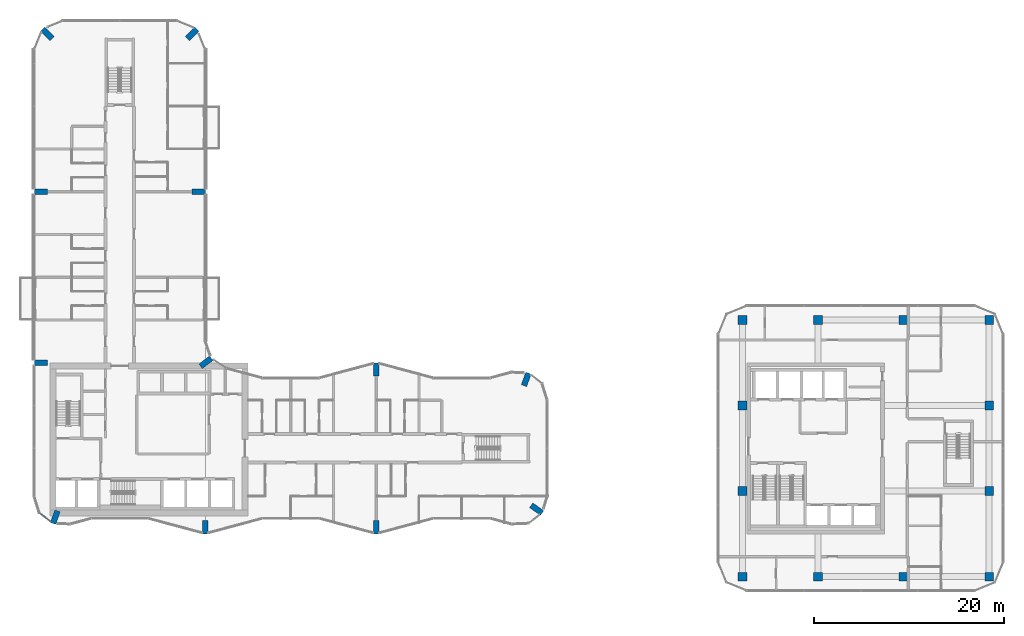
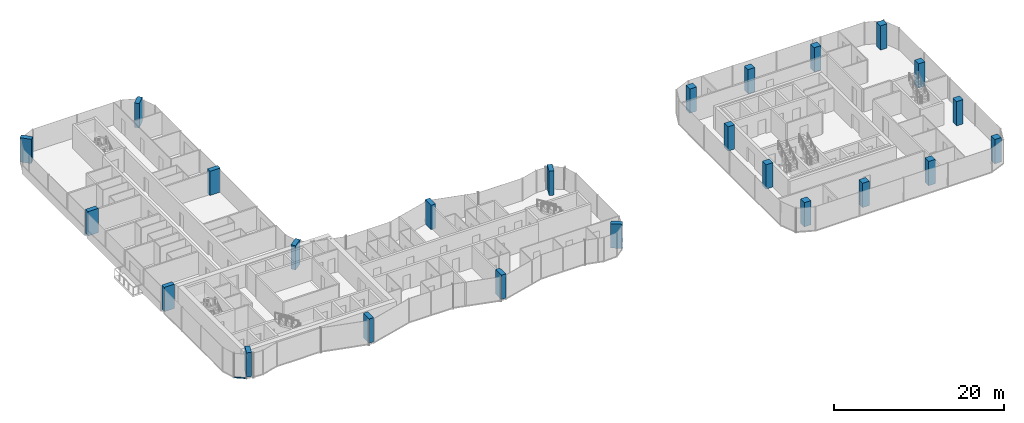
# One storey, part 1 of 22: 24 columns, 1 member, 1 element without a shape of its own.
"""IFC4 building model written with IfcOpenShell, lengths in metres."""

from ifc_helpers import new_model, si_unit, direction, frame, origin, origin_2d, place, context, subcontext, project, spatial, rectangle, extrude, material, layer, layer_set, material_profile, profile_set, type_object, element, aggregate, save


model = new_model("IFC4")

# Units and contexts
model_context = context("Model", 3, precision=1e-05, world=origin(), true_north=direction((0.0, 1.0)))
body_context = subcontext(model_context, "Body", "Model", "MODEL_VIEW")
ifc_project = project(units=[si_unit("LENGTHUNIT", "METRE"), si_unit("AREAUNIT", "SQUARE_METRE"), si_unit("VOLUMEUNIT", "CUBIC_METRE"), si_unit("PLANEANGLEUNIT", "RADIAN"), si_unit("MASSUNIT", "GRAM", prefix="KILO")], contexts=[model_context])

# Site, building, storey
site_placement = place(None, origin())
site = spatial("IfcSite", under=ifc_project, at=site_placement, CompositionType="ELEMENT")
building_placement = place(site_placement, origin())
building = spatial("IfcBuilding", under=site, at=building_placement, Name="Plateau Cross Towers", CompositionType="ELEMENT")
storey_placement = place(building_placement, frame((0.0, 0.0, 106.300048828125)))
storey = spatial("IfcBuildingStorey", under=building, at=storey_placement, Name="L27", CompositionType="ELEMENT", Elevation=106.300048828125)

# Columns
ifc_material_1 = material(Name="Concrete C60/75", Category="concrete")
ifc_material_profile_1 = material_profile(ifc_material_1, rectangle(XDim=0.60009765625, YDim=1.39990234375, at=origin_2d()), Name="RC 600x1400")
ifc_profile_set_1 = profile_set([ifc_material_profile_1], Name="Concrete C60/75")
column_type_1 = type_object("IfcColumnType", Name="Fin pier column RC 600x1400", PredefinedType="COLUMN", material=ifc_profile_set_1)
for number, where, z_axis, x_axis, name in (
    (1, (18.0, 0.699951171875, 0.0), (0.0, 0.0, 1.0), (1.0, 0.0, 0.0), "PR1 L27"),
    (2, (36.0, 0.699951171875, 0.0), (0.0, 0.0, 1.0), (1.0, 0.0, 0.0), "PR2 L27"),
    (3, (52.884033203125, 2.590087890625, 0.0), (0.0, 0.0, 1.0), (0.573542637991, 0.819175709117, 0.0), "PR3 L27"),
    (4, (51.786865234375, 16.251953125, 0.0), (0.0, 0.0, 1.0), (-0.939664280925, 0.342097996418, 0.0), "PR4 L27"),
    (5, (36.0, 17.300048828125, 0.0), (0.0, 0.0, 1.0), (1.0, 0.0, 0.0), "PR5 L27"),
    (6, (18.064697265625, 18.049560546875, 0.0), (0.0, 0.0, 1.0), (-0.608810846443, 0.793315418515, 0.0), "PR6 L27"),
    (7, (17.300048828125, 36.0, 0.0), (0.0, 0.0, 1.0), (0.0, 1.0, 0.0), "PR7 L27"),
    (8, (16.62646484375, 52.62646484375, 0.0), (0.0, 0.0, 1.0), (-0.707106781187, 0.707106781187, 0.0), "PR8 L27"),
    (9, (1.37353515625, 52.62646484375, 0.0), (0.0, 0.0, 1.0), (0.707106781187, 0.707106781187, 0.0), "PR9 L27"),
    (10, (0.699951171875, 36.0, 0.0), (0.0, 0.0, 1.0), (0.0, 1.0, 0.0), "PR10 L27"),
    (11, (0.699951171875, 18.0, 0.0), (0.0, 0.0, 1.0), (0.0, 1.0, 0.0), "PR11 L27"),
    (12, (2.213134765625, 1.748046875, 0.0), (0.0, 0.0, 1.0), (-0.939664280925, 0.342097996418, 0.0), "PR12 L27"),
):
    element("IfcColumn", number, at=place(storey_placement, frame(where, z_axis=z_axis, x_axis=x_axis)), inside=storey, type_object=column_type_1, Name=name, PredefinedType="COLUMN", context=body_context, shape_type="SweptSolid", body=[
        extrude(rectangle(XDim=0.60009765625, YDim=1.39990234375, at=origin_2d()), origin(), (0.0, 0.0, 1.0), 3.5),
    ])
ifc_material_profile_2 = material_profile(ifc_material_1, rectangle(XDim=0.89990234375, YDim=0.89990234375, at=origin_2d()), Name="RC 900x900")
ifc_profile_set_2 = profile_set([ifc_material_profile_2], Name="Concrete C60/75")
column_type_2 = type_object("IfcColumnType", Name="Office column RC 900x900", PredefinedType="COLUMN", material=ifc_profile_set_2)
for number, where, z_axis, x_axis, name in (
    (13, (74.550048828125, -4.5, 0.0), (0.0, 0.0, 1.0), (1.0, 0.0, 0.0), "B-C746_-45 L27"),
    (14, (82.5, -4.5, 0.0), (0.0, 0.0, 1.0), (1.0, 0.0, 0.0), "B-C825_-45 L27"),
    (15, (91.5, -4.5, 0.0), (0.0, 0.0, 1.0), (1.0, 0.0, 0.0), "B-C915_-45 L27"),
    (16, (100.5, -4.5, 0.0), (0.0, 0.0, 1.0), (1.0, 0.0, 0.0), "B-C1005_-45 L27"),
    (17, (100.5, 4.5, 0.0), (0.0, 0.0, 1.0), (1.0, 0.0, 0.0), "B-C1005_45 L27"),
    (18, (100.5, 13.5, 0.0), (0.0, 0.0, 1.0), (1.0, 0.0, 0.0), "B-C1005_135 L27"),
    (19, (100.5, 22.5, 0.0), (0.0, 0.0, 1.0), (1.0, 0.0, 0.0), "B-C1005_225 L27"),
    (20, (91.5, 22.5, 0.0), (0.0, 0.0, 1.0), (1.0, 0.0, 0.0), "B-C915_225 L27"),
    (21, (82.5, 22.5, 0.0), (0.0, 0.0, 1.0), (1.0, 0.0, 0.0), "B-C825_225 L27"),
    (22, (74.550048828125, 22.5, 0.0), (0.0, 0.0, 1.0), (1.0, 0.0, 0.0), "B-C746_225 L27"),
    (23, (74.550048828125, 13.5, 0.0), (0.0, 0.0, 1.0), (1.0, 0.0, 0.0), "B-C746_135 L27"),
    (24, (74.550048828125, 4.5, 0.0), (0.0, 0.0, 1.0), (1.0, 0.0, 0.0), "B-C746_45 L27"),
):
    element("IfcColumn", number, at=place(storey_placement, frame(where, z_axis=z_axis, x_axis=x_axis)), inside=storey, type_object=column_type_2, Name=name, PredefinedType="COLUMN", context=body_context, shape_type="SweptSolid", body=[
        extrude(rectangle(XDim=0.89990234375, YDim=0.89990234375, at=origin_2d()), origin(), (0.0, 0.0, 1.0), 3.5),
    ])

# Curtain wall, member
ifc_material_2 = material(Name="Dark low-iron glass", Category="glass")
ifc_layer = layer(ifc_material_2, 0.239990234375)
ifc_layer_set = layer_set([ifc_layer], Name="Dark low-iron glass")
curtain_wall_type = type_object("IfcCurtainWallType", Name="Curtain wall flush unitised CW-B", PredefinedType="NOTDEFINED", material=ifc_layer_set)
curtain_wall_placement = place(storey_placement, origin())
curtain_wall = element("IfcCurtainWall", 25, at=curtain_wall_placement, inside=storey, type_object=curtain_wall_type, Name="ENV/A/L27/A5_22", PredefinedType="NOTDEFINED")
ifc_material_3 = material(Name="Black anodised aluminium", Category="aluminium")
ifc_material_profile_3 = material_profile(ifc_material_3, rectangle(XDim=0.10009765625, YDim=0.1201171875, at=origin_2d()), Name="TRANSOM 100x120")
ifc_profile_set_3 = profile_set([ifc_material_profile_3], Name="Black anodised aluminium")
member_type = type_object("IfcMemberType", Name="Transom 100x120 flush unitised", PredefinedType="USERDEFINED", material=ifc_profile_set_3)
member_placement = place(storey_placement, frame((0.54248046875, 2.1884765625, -0.18994140625), z_axis=(0.793320508571, -0.608804213751, 0.0), x_axis=(0.608804213751, 0.793320508571, 0.0)))
member = element("IfcMember", 26, at=member_placement, type_object=member_type, Name="CW-B transom", ObjectType="TRANSOM", PredefinedType="USERDEFINED", context=body_context, shape_type="SweptSolid", body=[
    extrude(rectangle(XDim=0.10009765625, YDim=0.1201171875, at=origin_2d()), origin(), (0.0, 0.0, 1.0), 1.471435546875),
])
aggregate(curtain_wall, [member])

save(model, "model.ifc")
